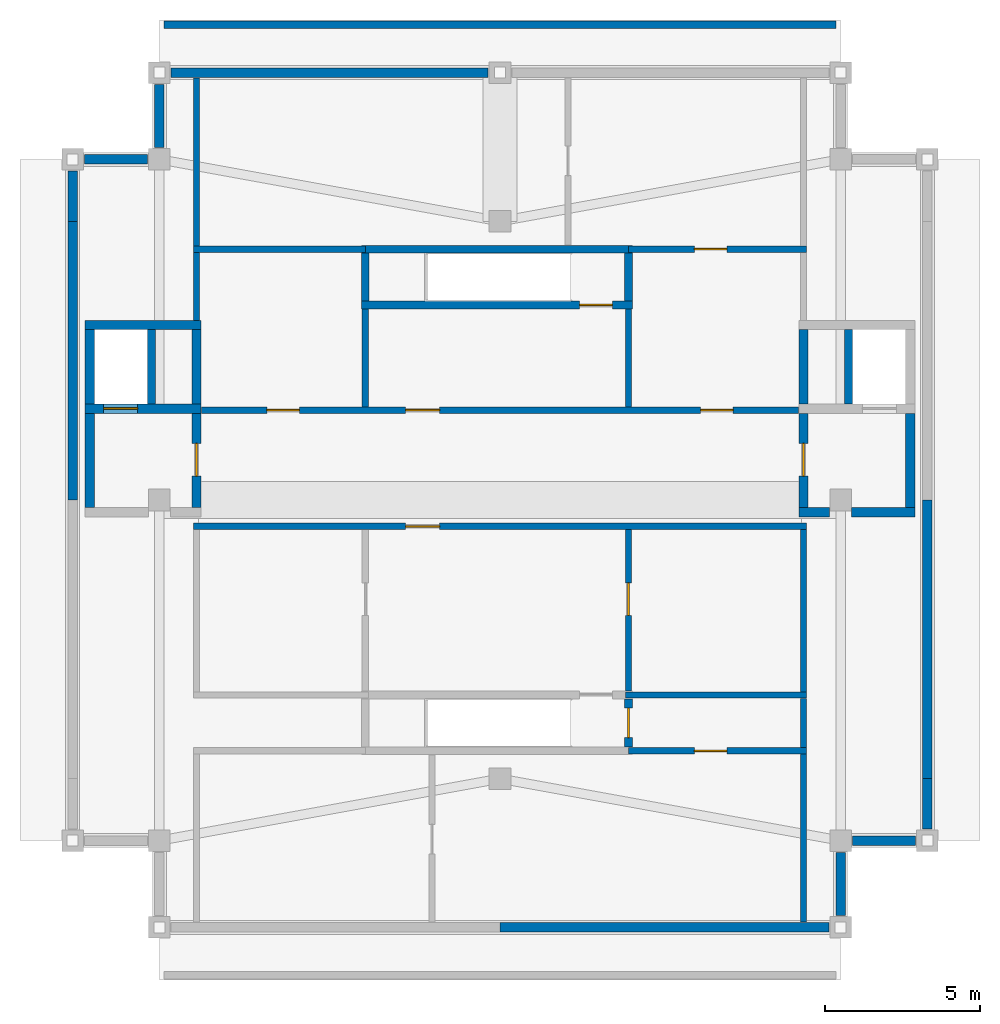
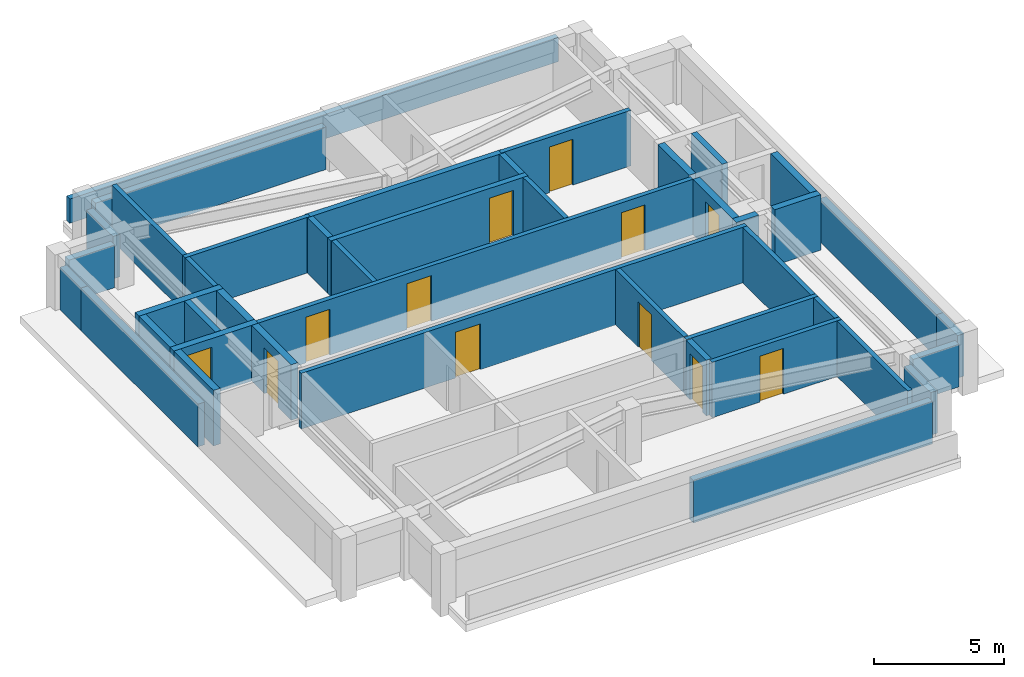
# One storey, part 2 of 4: 43 walls, 12 doors, 12 openings.
"""IFC4 building model written with IfcOpenShell, lengths in metres."""

from ifc_helpers import new_model, si_unit, direction, frame, frame_2d, origin, place, context, subcontext, project, spatial, rectangle, extrude, material, layer, layer_set, type_object, element, fill, save


model = new_model("IFC4")

# Units and contexts
model_context = context("Model", 3, precision=1e-05, world=origin(), true_north=direction((0.0, 1.0)))
body_context = subcontext(model_context, "Body", "Model", "MODEL_VIEW")
ifc_project = project(units=[si_unit("LENGTHUNIT", "METRE"), si_unit("AREAUNIT", "SQUARE_METRE"), si_unit("VOLUMEUNIT", "CUBIC_METRE"), si_unit("PLANEANGLEUNIT", "RADIAN"), si_unit("MASSUNIT", "GRAM", prefix="KILO")], contexts=[model_context])

# Site, building, storey
site_placement = place(None, origin())
site = spatial("IfcSite", under=ifc_project, at=site_placement, CompositionType="ELEMENT")
building_placement = place(site_placement, origin())
building = spatial("IfcBuilding", under=site, at=building_placement, Name="Zulmaris Gate Convention Tower", CompositionType="ELEMENT")
storey_placement = place(building_placement, frame((0.0, 0.0, 294.0400390625)))
storey = spatial("IfcBuildingStorey", under=building, at=storey_placement, Name="L79", CompositionType="ELEMENT", Elevation=294.0400390625)

# Wall, opening, door
ifc_material_1 = material(Name="Concrete C50/60", Category="concrete")
ifc_layer_1 = layer(ifc_material_1, 0.25, Name="Concrete C50/60")
ifc_layer_set_1 = layer_set([ifc_layer_1], Name="Concrete C50/60")
wall_type_1 = type_object("IfcWallType", Name="CORE-250", PredefinedType="SOLIDWALL", material=ifc_layer_set_1)
wall_1_placement = place(storey_placement, frame((-4.47509765625, 6.300048828125, 0.0), z_axis=(0.0, 0.0, 1.0), x_axis=(1.0, 0.0, 0.0)))
wall_1 = element("IfcWall", 1, at=wall_1_placement, inside=storey, type_object=wall_type_1, Name="WL-L79-009", PredefinedType="SOLIDWALL", context=body_context, shape_type="SweptSolid", body=[
    extrude(rectangle(XDim=8.75, YDim=0.25, at=frame_2d((4.375, 0.0))), origin(), (0.0, 0.0, 1.0), 2.610107421875),
])
opening_1_placement = place(wall_1_placement, frame((7.050048828125, 0.0, 0.0)))
opening_1 = element("IfcOpeningElement", 2, at=opening_1_placement, cuts=wall_1, Name="Opening D-09", PredefinedType="OPENING", context=body_context, shape_type="SweptSolid", body=[
    extrude(rectangle(XDim=1.050048828125, YDim=2.14990234375, at=frame_2d((0.52490234375, 1.074951171875))), frame((0.0, 0.135009765625, 0.0), z_axis=(0.0, -1.0, 0.0), x_axis=(1.0, 0.0, 0.0)), (0.0, 0.0, 1.0), 0.27001953125),
])
ifc_material_2 = material(Name="Fire-Rated Steel", Category="steel")
door_type_1 = type_object("IfcDoorType", Name="DR-1050-FD", OperationType="NOTDEFINED", PredefinedType="DOOR", material=ifc_material_2)
door_1_placement = place(opening_1_placement, origin())
door_1 = element("IfcDoor", 3, at=door_1_placement, inside=storey, type_object=door_type_1, Name="L79 Crown Stair ST-8 Door 06", OperationType="SINGLE_SWING_RIGHT", OverallHeight=2.14990234375, OverallWidth=1.050048828125, PredefinedType="DOOR", context=body_context, shape_type="SweptSolid", body=[
    extrude(rectangle(XDim=1.050048828125, YDim=2.14990234375, at=frame_2d((0.52490234375, 1.074951171875))), frame((0.0, 0.02490234375, 0.0), z_axis=(0.0, -1.0, 0.0), x_axis=(1.0, 0.0, 0.0)), (0.0, 0.0, 1.0), 0.050048828125),
])
fill(opening_1, door_1)

# Walls
wall_2_placement = place(storey_placement, frame((-4.47509765625, 8.10009765625, 0.0), z_axis=(0.0, 0.0, 1.0), x_axis=(1.0, 0.0, 0.0)))
element("IfcWall", 4, at=wall_2_placement, inside=storey, type_object=wall_type_1, Name="WL-L79-010", PredefinedType="SOLIDWALL", context=body_context, shape_type="SweptSolid", body=[
    extrude(rectangle(XDim=8.75, YDim=0.25, at=frame_2d((4.375, 0.0))), origin(), (0.0, 0.0, 1.0), 2.610107421875),
])
wall_3_placement = place(storey_placement, frame((-11.25, 3.10205078125, 0.0), z_axis=(0.0, 0.0, 1.0), x_axis=(0.0, 1.0, 0.0)))
element("IfcWall", 5, at=wall_3_placement, inside=storey, type_object=wall_type_1, Name="WL-L79-021", PredefinedType="SOLIDWALL", context=body_context, shape_type="SweptSolid", body=[
    extrude(rectangle(XDim=2.39599609375, YDim=0.25, at=frame_2d((1.197998046875, 0.0))), origin(), (0.0, 0.0, 1.0), 2.610107421875),
])
wall_4_placement = place(storey_placement, frame((-4.35009765625, 6.427001953125, 0.0), z_axis=(0.0, 0.0, 1.0), x_axis=(0.0, 1.0, 0.0)))
element("IfcWall", 6, at=wall_4_placement, inside=storey, type_object=wall_type_1, Name="WL-L79-025", PredefinedType="SOLIDWALL", context=body_context, shape_type="SweptSolid", body=[
    extrude(rectangle(XDim=1.5458984375, YDim=0.25, at=frame_2d((0.77294921875, 0.0))), origin(), (0.0, 0.0, 1.0), 2.610107421875),
])

# Wall, opening, door
wall_5_placement = place(storey_placement, frame((4.14990234375, -7.972900390625, 0.0), z_axis=(0.0, 0.0, 1.0), x_axis=(0.0, 1.0, 0.0)))
wall_5 = element("IfcWall", 7, at=wall_5_placement, inside=storey, type_object=wall_type_1, Name="WL-L79-026", PredefinedType="SOLIDWALL", context=body_context, shape_type="SweptSolid", body=[
    extrude(rectangle(XDim=1.5458984375, YDim=0.25, at=frame_2d((0.77294921875, 0.0))), origin(), (0.0, 0.0, 1.0), 2.610107421875),
])
opening_2_placement = place(wall_5_placement, frame((0.298095703125, 0.0, 0.0)))
opening_2 = element("IfcOpeningElement", 8, at=opening_2_placement, cuts=wall_5, Name="Opening D-11", PredefinedType="OPENING", context=body_context, shape_type="SweptSolid", body=[
    extrude(rectangle(XDim=0.949951171875, YDim=2.14990234375, at=frame_2d((0.47509765625, 1.074951171875))), frame((0.0, 0.135009765625, 0.0), z_axis=(0.0, -1.0, 0.0), x_axis=(1.0, 0.0, 0.0)), (0.0, 0.0, 1.0), 0.27001953125),
])
ifc_material_3 = material(Name="Fire-Rated Timber", Category="wood")
door_type_2 = type_object("IfcDoorType", Name="DR-950-FD", OperationType="NOTDEFINED", PredefinedType="DOOR", material=ifc_material_3)
door_2_placement = place(opening_2_placement, origin())
door_2 = element("IfcDoor", 9, at=door_2_placement, inside=storey, type_object=door_type_2, Name="L79 South Vestibule Door 16", OperationType="SINGLE_SWING_RIGHT", OverallHeight=2.14990234375, OverallWidth=0.949951171875, PredefinedType="DOOR", context=body_context, shape_type="SweptSolid", body=[
    extrude(rectangle(XDim=0.949951171875, YDim=2.14990234375, at=frame_2d((0.47509765625, 1.074951171875))), frame((0.0, 0.02490234375, 0.0), z_axis=(0.0, -1.0, 0.0), x_axis=(1.0, 0.0, 0.0)), (0.0, 0.0, 1.0), 0.050048828125),
])
fill(opening_2, door_2)

# Walls
wall_6_placement = place(storey_placement, frame((4.14990234375, 6.427001953125, 0.0), z_axis=(0.0, 0.0, 1.0), x_axis=(0.0, 1.0, 0.0)))
element("IfcWall", 10, at=wall_6_placement, inside=storey, type_object=wall_type_1, Name="WL-L79-027", PredefinedType="SOLIDWALL", context=body_context, shape_type="SweptSolid", body=[
    extrude(rectangle(XDim=1.5458984375, YDim=0.25, at=frame_2d((0.77294921875, 0.0))), origin(), (0.0, 0.0, 1.0), 2.610107421875),
])
wall_7_placement = place(storey_placement, frame((11.25, 3.10205078125, 0.0), z_axis=(0.0, 0.0, 1.0), x_axis=(0.0, 1.0, 0.0)))
element("IfcWall", 11, at=wall_7_placement, inside=storey, type_object=wall_type_1, Name="WL-L79-030", PredefinedType="SOLIDWALL", context=body_context, shape_type="SweptSolid", body=[
    extrude(rectangle(XDim=2.39599609375, YDim=0.25, at=frame_2d((1.197998046875, 0.0))), origin(), (0.0, 0.0, 1.0), 2.610107421875),
])
ifc_layer_2 = layer(ifc_material_1, 0.300048828125, Name="Concrete C50/60")
ifc_layer_set_2 = layer_set([ifc_layer_2], Name="Concrete C50/60")
wall_type_2 = type_object("IfcWallType", Name="CORE-300", PredefinedType="SHEAR", material=ifc_layer_set_2)
wall_8_placement = place(storey_placement, frame((9.64990234375, -0.39990234375, 0.0), z_axis=(0.0, 0.0, 1.0), x_axis=(1.0, 0.0, 0.0)))
element("IfcWall", 12, at=wall_8_placement, inside=storey, type_object=wall_type_2, Name="WL-L79-004", PredefinedType="SHEAR", context=body_context, shape_type="SweptSolid", body=[
    extrude(rectangle(XDim=0.99609375, YDim=0.300048828125, at=frame_2d((0.498046875, 0.0))), origin(), (0.0, 0.0, 1.0), 2.610107421875),
])
wall_9_placement = place(storey_placement, frame((11.35400390625, -0.39990234375, 0.0), z_axis=(0.0, 0.0, 1.0), x_axis=(1.0, 0.0, 0.0)))
element("IfcWall", 13, at=wall_9_placement, inside=storey, type_object=wall_type_2, Name="WL-L79-004S1", PredefinedType="SHEAR", context=body_context, shape_type="SweptSolid", body=[
    extrude(rectangle(XDim=2.0458984375, YDim=0.300048828125, at=frame_2d((1.02294921875, 0.0))), origin(), (0.0, 0.0, 1.0), 2.610107421875),
])

# Wall, opening, door
wall_10_placement = place(storey_placement, frame((-13.39990234375, 2.949951171875, 0.0), z_axis=(0.0, 0.0, 1.0), x_axis=(1.0, 0.0, 0.0)))
wall_10 = element("IfcWall", 14, at=wall_10_placement, inside=storey, type_object=wall_type_2, Name="WL-L79-005", PredefinedType="SHEAR", context=body_context, shape_type="SweptSolid", body=[
    extrude(rectangle(XDim=3.75, YDim=0.300048828125, at=frame_2d((1.875, 0.0))), origin(), (0.0, 0.0, 1.0), 2.610107421875),
])
opening_3_placement = place(wall_10_placement, frame((0.60009765625, 0.0, 0.0)))
opening_3 = element("IfcOpeningElement", 15, at=opening_3_placement, cuts=wall_10, Name="Opening D-06", PredefinedType="OPENING", context=body_context, shape_type="SweptSolid", body=[
    extrude(rectangle(XDim=1.10009765625, YDim=2.199951171875, at=frame_2d((0.550048828125, 1.10009765625))), frame((0.0, 0.16015625, 0.0), z_axis=(0.0, -1.0, 0.0), x_axis=(1.0, 0.0, 0.0)), (0.0, 0.0, 1.0), 0.320068359375),
])
ifc_material_4 = material(Name="Brushed Stainless Steel", Category="steel")
door_type_3 = type_object("IfcDoorType", Name="LD-1100", OperationType="NOTDEFINED", PredefinedType="DOOR", material=ifc_material_4)
door_3_placement = place(opening_3_placement, origin())
door_3 = element("IfcDoor", 16, at=door_3_placement, inside=storey, type_object=door_type_3, Name="L79 Lift Landing Door LF-01 01", OperationType="SLIDING_TO_LEFT", OverallHeight=2.199951171875, OverallWidth=1.10009765625, PredefinedType="DOOR", context=body_context, shape_type="SweptSolid", body=[
    extrude(rectangle(XDim=1.10009765625, YDim=2.199951171875, at=frame_2d((0.550048828125, 1.10009765625))), frame((0.0, 0.02490234375, 0.0), z_axis=(0.0, -1.0, 0.0), x_axis=(1.0, 0.0, 0.0)), (0.0, 0.0, 1.0), 0.050048828125),
])
fill(opening_3, door_3)

# Walls
wall_11_placement = place(storey_placement, frame((-13.39990234375, 5.64990234375, 0.0), z_axis=(0.0, 0.0, 1.0), x_axis=(1.0, 0.0, 0.0)))
element("IfcWall", 17, at=wall_11_placement, inside=storey, type_object=wall_type_2, Name="WL-L79-007", PredefinedType="SHEAR", context=body_context, shape_type="SweptSolid", body=[
    extrude(rectangle(XDim=3.75, YDim=0.300048828125, at=frame_2d((1.875, 0.0))), origin(), (0.0, 0.0, 1.0), 2.610107421875),
])
wall_12_placement = place(storey_placement, frame((-13.25, -0.248046875, 0.0), z_axis=(0.0, 0.0, 1.0), x_axis=(0.0, 1.0, 0.0)))
element("IfcWall", 18, at=wall_12_placement, inside=storey, type_object=wall_type_2, Name="WL-L79-019", PredefinedType="SHEAR", context=body_context, shape_type="SweptSolid", body=[
    extrude(rectangle(XDim=3.046142578125, YDim=0.300048828125, at=frame_2d((1.52294921875, 0.0))), origin(), (0.0, 0.0, 1.0), 2.610107421875),
])
wall_13_placement = place(storey_placement, frame((-13.25, 3.10205078125, 0.0), z_axis=(0.0, 0.0, 1.0), x_axis=(0.0, 1.0, 0.0)))
element("IfcWall", 19, at=wall_13_placement, inside=storey, type_object=wall_type_2, Name="WL-L79-020", PredefinedType="SHEAR", context=body_context, shape_type="SweptSolid", body=[
    extrude(rectangle(XDim=2.39599609375, YDim=0.300048828125, at=frame_2d((1.197998046875, 0.0))), origin(), (0.0, 0.0, 1.0), 2.610107421875),
])

# Wall, opening, door
wall_14_placement = place(storey_placement, frame((-9.800048828125, -0.248046875, 0.0), z_axis=(0.0, 0.0, 1.0), x_axis=(0.0, 1.0, 0.0)))
wall_14 = element("IfcWall", 20, at=wall_14_placement, inside=storey, type_object=wall_type_2, Name="WL-L79-022", PredefinedType="SHEAR", context=body_context, shape_type="SweptSolid", body=[
    extrude(rectangle(XDim=3.046142578125, YDim=0.300048828125, at=frame_2d((1.52294921875, 0.0))), origin(), (0.0, 0.0, 1.0), 2.610107421875),
])
opening_4_placement = place(wall_14_placement, frame((1.02294921875, 0.0, 0.0)))
opening_4 = element("IfcOpeningElement", 21, at=opening_4_placement, cuts=wall_14, Name="Opening D-09", PredefinedType="OPENING", context=body_context, shape_type="SweptSolid", body=[
    extrude(rectangle(XDim=1.050048828125, YDim=2.14990234375, at=frame_2d((0.52490234375, 1.074951171875))), frame((0.0, 0.16015625, 0.0), z_axis=(0.0, -1.0, 0.0), x_axis=(1.0, 0.0, 0.0)), (0.0, 0.0, 1.0), 0.320068359375),
])
door_4_placement = place(opening_4_placement, origin())
door_4 = element("IfcDoor", 22, at=door_4_placement, inside=storey, type_object=door_type_1, Name="L79 Firefighting Lobby West Door 02", OperationType="SINGLE_SWING_LEFT", OverallHeight=2.14990234375, OverallWidth=1.050048828125, PredefinedType="DOOR", context=body_context, shape_type="SweptSolid", body=[
    extrude(rectangle(XDim=1.050048828125, YDim=2.14990234375, at=frame_2d((0.52490234375, 1.074951171875))), frame((0.0, 0.02490234375, 0.0), z_axis=(0.0, -1.0, 0.0), x_axis=(1.0, 0.0, 0.0)), (0.0, 0.0, 1.0), 0.050048828125),
])
fill(opening_4, door_4)

# Wall
wall_15_placement = place(storey_placement, frame((-9.800048828125, 3.10205078125, 0.0), z_axis=(0.0, 0.0, 1.0), x_axis=(0.0, 1.0, 0.0)))
element("IfcWall", 23, at=wall_15_placement, inside=storey, type_object=wall_type_2, Name="WL-L79-023", PredefinedType="SHEAR", context=body_context, shape_type="SweptSolid", body=[
    extrude(rectangle(XDim=2.39599609375, YDim=0.300048828125, at=frame_2d((1.197998046875, 0.0))), origin(), (0.0, 0.0, 1.0), 2.610107421875),
])

# Wall, opening, door
wall_16_placement = place(storey_placement, frame((9.800048828125, -0.248046875, 0.0), z_axis=(0.0, 0.0, 1.0), x_axis=(0.0, 1.0, 0.0)))
wall_16 = element("IfcWall", 24, at=wall_16_placement, inside=storey, type_object=wall_type_2, Name="WL-L79-028", PredefinedType="SHEAR", context=body_context, shape_type="SweptSolid", body=[
    extrude(rectangle(XDim=3.046142578125, YDim=0.300048828125, at=frame_2d((1.52294921875, 0.0))), origin(), (0.0, 0.0, 1.0), 2.610107421875),
])
opening_5_placement = place(wall_16_placement, frame((1.02294921875, 0.0, 0.0)))
opening_5 = element("IfcOpeningElement", 25, at=opening_5_placement, cuts=wall_16, Name="Opening D-09", PredefinedType="OPENING", context=body_context, shape_type="SweptSolid", body=[
    extrude(rectangle(XDim=1.050048828125, YDim=2.14990234375, at=frame_2d((0.52490234375, 1.074951171875))), frame((0.0, 0.16015625, 0.0), z_axis=(0.0, -1.0, 0.0), x_axis=(1.0, 0.0, 0.0)), (0.0, 0.0, 1.0), 0.320068359375),
])
door_5_placement = place(opening_5_placement, origin())
door_5 = element("IfcDoor", 26, at=door_5_placement, inside=storey, type_object=door_type_1, Name="L79 Firefighting Lobby East Door 04", OperationType="SINGLE_SWING_RIGHT", OverallHeight=2.14990234375, OverallWidth=1.050048828125, PredefinedType="DOOR", context=body_context, shape_type="SweptSolid", body=[
    extrude(rectangle(XDim=1.050048828125, YDim=2.14990234375, at=frame_2d((0.52490234375, 1.074951171875))), frame((0.0, 0.02490234375, 0.0), z_axis=(0.0, -1.0, 0.0), x_axis=(1.0, 0.0, 0.0)), (0.0, 0.0, 1.0), 0.050048828125),
])
fill(opening_5, door_5)

# Walls
wall_17_placement = place(storey_placement, frame((9.800048828125, 3.10205078125, 0.0), z_axis=(0.0, 0.0, 1.0), x_axis=(0.0, 1.0, 0.0)))
element("IfcWall", 27, at=wall_17_placement, inside=storey, type_object=wall_type_2, Name="WL-L79-029", PredefinedType="SHEAR", context=body_context, shape_type="SweptSolid", body=[
    extrude(rectangle(XDim=2.39599609375, YDim=0.300048828125, at=frame_2d((1.197998046875, 0.0))), origin(), (0.0, 0.0, 1.0), 2.610107421875),
])
wall_18_placement = place(storey_placement, frame((13.25, -0.248046875, 0.0), z_axis=(0.0, 0.0, 1.0), x_axis=(0.0, 1.0, 0.0)))
element("IfcWall", 28, at=wall_18_placement, inside=storey, type_object=wall_type_2, Name="WL-L79-031", PredefinedType="SHEAR", context=body_context, shape_type="SweptSolid", body=[
    extrude(rectangle(XDim=3.046142578125, YDim=0.300048828125, at=frame_2d((1.52294921875, 0.0))), origin(), (0.0, 0.0, 1.0), 2.610107421875),
])

# Wall, opening, door
ifc_material_5 = material(Name="Autoclaved Aerated Concrete Block and Plasterboard", Category="concrete")
ifc_layer_3 = layer(ifc_material_5, 0.199951171875, Name="Autoclaved Aerated Concrete Block and Plasterboard")
ifc_layer_set_3 = layer_set([ifc_layer_3], Name="Autoclaved Aerated Concrete Block and Plasterboard")
wall_type_3 = type_object("IfcWallType", Name="PART-200", PredefinedType="PARTITIONING", material=ifc_layer_set_3)
wall_19_placement = place(storey_placement, frame((4.14990234375, -8.10009765625, 0.0), z_axis=(0.0, 0.0, 1.0), x_axis=(1.0, 0.0, 0.0)))
wall_19 = element("IfcWall", 29, at=wall_19_placement, inside=storey, type_object=wall_type_3, Name="WL-L79-012", PredefinedType="PARTITIONING", context=body_context, shape_type="SweptSolid", body=[
    extrude(rectangle(XDim=5.75, YDim=0.199951171875, at=frame_2d((2.875, 0.0))), origin(), (0.0, 0.0, 1.0), 2.610107421875),
])
opening_6_placement = place(wall_19_placement, frame((2.125, 0.0, 0.0)))
opening_6 = element("IfcOpeningElement", 30, at=opening_6_placement, cuts=wall_19, Name="Opening D-09", PredefinedType="OPENING", context=body_context, shape_type="SweptSolid", body=[
    extrude(rectangle(XDim=1.050048828125, YDim=2.14990234375, at=frame_2d((0.52490234375, 1.074951171875))), frame((0.0, 0.10986328125, 0.0), z_axis=(0.0, -1.0, 0.0), x_axis=(1.0, 0.0, 0.0)), (0.0, 0.0, 1.0), 0.219970703125),
])
door_6_placement = place(opening_6_placement, origin())
door_6 = element("IfcDoor", 31, at=door_6_placement, inside=storey, type_object=door_type_1, Name="L79 Cooling Plant Door 17", OperationType="SINGLE_SWING_LEFT", OverallHeight=2.14990234375, OverallWidth=1.050048828125, PredefinedType="DOOR", context=body_context, shape_type="SweptSolid", body=[
    extrude(rectangle(XDim=1.050048828125, YDim=2.14990234375, at=frame_2d((0.52490234375, 1.074951171875))), frame((0.0, 0.02490234375, 0.0), z_axis=(0.0, -1.0, 0.0), x_axis=(1.0, 0.0, 0.0)), (0.0, 0.0, 1.0), 0.050048828125),
])
fill(opening_6, door_6)

# Wall
wall_20_placement = place(storey_placement, frame((4.050048828125, -6.300048828125, 0.0), z_axis=(0.0, 0.0, 1.0), x_axis=(1.0, 0.0, 0.0)))
element("IfcWall", 32, at=wall_20_placement, inside=storey, type_object=wall_type_3, Name="WL-L79-014", PredefinedType="PARTITIONING", context=body_context, shape_type="SweptSolid", body=[
    extrude(rectangle(XDim=5.849853515625, YDim=0.199951171875, at=frame_2d((2.9248046875, 0.0))), origin(), (0.0, 0.0, 1.0), 2.610107421875),
])

# Wall, opening, door
wall_21_placement = place(storey_placement, frame((-9.89990234375, -0.85009765625, 0.0), z_axis=(0.0, 0.0, 1.0), x_axis=(1.0, 0.0, 0.0)))
wall_21 = element("IfcWall", 33, at=wall_21_placement, inside=storey, type_object=wall_type_3, Name="WL-L79-015", PredefinedType="PARTITIONING", context=body_context, shape_type="SweptSolid", body=[
    extrude(rectangle(XDim=19.7998046875, YDim=0.199951171875, at=frame_2d((9.89990234375, 0.0))), origin(), (0.0, 0.0, 1.0), 2.610107421875),
])
opening_7_placement = place(wall_21_placement, frame((6.85009765625, 0.0, 0.0)))
opening_7 = element("IfcOpeningElement", 34, at=opening_7_placement, cuts=wall_21, Name="Opening D-08", PredefinedType="OPENING", context=body_context, shape_type="SweptSolid", body=[
    extrude(rectangle(XDim=1.10009765625, YDim=2.14990234375, at=frame_2d((0.550048828125, 1.074951171875))), frame((0.0, 0.10986328125, 0.0), z_axis=(0.0, -1.0, 0.0), x_axis=(1.0, 0.0, 0.0)), (0.0, 0.0, 1.0), 0.219970703125),
])
door_type_4 = type_object("IfcDoorType", Name="DR-1100-FD", OperationType="NOTDEFINED", PredefinedType="DOOR", material=ifc_material_2)
door_7_placement = place(opening_7_placement, origin())
door_7 = element("IfcDoor", 35, at=door_7_placement, inside=storey, type_object=door_type_4, Name="L79 South Crown Passage Door 07", OperationType="SINGLE_SWING_LEFT", OverallHeight=2.14990234375, OverallWidth=1.10009765625, PredefinedType="DOOR", context=body_context, shape_type="SweptSolid", body=[
    extrude(rectangle(XDim=1.10009765625, YDim=2.14990234375, at=frame_2d((0.550048828125, 1.074951171875))), frame((0.0, 0.02490234375, 0.0), z_axis=(0.0, -1.0, 0.0), x_axis=(1.0, 0.0, 0.0)), (0.0, 0.0, 1.0), 0.050048828125),
])
fill(opening_7, door_7)

# Wall, openings, doors
wall_22_placement = place(storey_placement, frame((-9.64697265625, 2.89990234375, 0.0), z_axis=(0.0, 0.0, 1.0), x_axis=(1.0, 0.0, 0.0)))
wall_22 = element("IfcWall", 36, at=wall_22_placement, inside=storey, type_object=wall_type_3, Name="WL-L79-016", PredefinedType="PARTITIONING", context=body_context, shape_type="SweptSolid", body=[
    extrude(rectangle(XDim=19.2939453125, YDim=0.199951171875, at=frame_2d((9.64697265625, 0.0))), origin(), (0.0, 0.0, 1.0), 2.610107421875),
])
opening_8_placement = place(wall_22_placement, frame((6.596923828125, 0.0, 0.0)))
opening_8 = element("IfcOpeningElement", 37, at=opening_8_placement, cuts=wall_22, Name="Opening D-08", PredefinedType="OPENING", context=body_context, shape_type="SweptSolid", body=[
    extrude(rectangle(XDim=1.10009765625, YDim=2.14990234375, at=frame_2d((0.550048828125, 1.074951171875))), frame((0.0, 0.10986328125, 0.0), z_axis=(0.0, -1.0, 0.0), x_axis=(1.0, 0.0, 0.0)), (0.0, 0.0, 1.0), 0.219970703125),
])
opening_9_placement = place(wall_22_placement, frame((16.1220703125, 0.0, 0.0)))
opening_9 = element("IfcOpeningElement", 38, at=opening_9_placement, cuts=wall_22, Name="Opening D-09", PredefinedType="OPENING", context=body_context, shape_type="SweptSolid", body=[
    extrude(rectangle(XDim=1.050048828125, YDim=2.14990234375, at=frame_2d((0.52490234375, 1.074951171875))), frame((0.0, 0.10986328125, 0.0), z_axis=(0.0, -1.0, 0.0), x_axis=(1.0, 0.0, 0.0)), (0.0, 0.0, 1.0), 0.219970703125),
])
opening_10_placement = place(wall_22_placement, frame((2.1220703125, 0.0, 0.0)))
opening_10 = element("IfcOpeningElement", 39, at=opening_10_placement, cuts=wall_22, Name="Opening D-09", PredefinedType="OPENING", context=body_context, shape_type="SweptSolid", body=[
    extrude(rectangle(XDim=1.050048828125, YDim=2.14990234375, at=frame_2d((0.52490234375, 1.074951171875))), frame((0.0, 0.10986328125, 0.0), z_axis=(0.0, -1.0, 0.0), x_axis=(1.0, 0.0, 0.0)), (0.0, 0.0, 1.0), 0.219970703125),
])
door_8_placement = place(opening_9_placement, origin())
door_8 = element("IfcDoor", 40, at=door_8_placement, inside=storey, type_object=door_type_1, Name="L79 East Crown Plant Door 11", OperationType="SINGLE_SWING_LEFT", OverallHeight=2.14990234375, OverallWidth=1.050048828125, PredefinedType="DOOR", context=body_context, shape_type="SweptSolid", body=[
    extrude(rectangle(XDim=1.050048828125, YDim=2.14990234375, at=frame_2d((0.52490234375, 1.074951171875))), frame((0.0, 0.02490234375, 0.0), z_axis=(0.0, -1.0, 0.0), x_axis=(1.0, 0.0, 0.0)), (0.0, 0.0, 1.0), 0.050048828125),
])
fill(opening_9, door_8)
door_9_placement = place(opening_10_placement, origin())
door_9 = element("IfcDoor", 41, at=door_9_placement, inside=storey, type_object=door_type_1, Name="L79 BMS Telemetry Door 15", OperationType="SINGLE_SWING_LEFT", OverallHeight=2.14990234375, OverallWidth=1.050048828125, PredefinedType="DOOR", context=body_context, shape_type="SweptSolid", body=[
    extrude(rectangle(XDim=1.050048828125, YDim=2.14990234375, at=frame_2d((0.52490234375, 1.074951171875))), frame((0.0, 0.02490234375, 0.0), z_axis=(0.0, -1.0, 0.0), x_axis=(1.0, 0.0, 0.0)), (0.0, 0.0, 1.0), 0.050048828125),
])
fill(opening_10, door_9)
door_10_placement = place(opening_8_placement, origin())
door_10 = element("IfcDoor", 42, at=door_10_placement, inside=storey, type_object=door_type_4, Name="L79 North Crown Passage Door 08", OperationType="SINGLE_SWING_RIGHT", OverallHeight=2.14990234375, OverallWidth=1.10009765625, PredefinedType="DOOR", context=body_context, shape_type="SweptSolid", body=[
    extrude(rectangle(XDim=1.10009765625, YDim=2.14990234375, at=frame_2d((0.550048828125, 1.074951171875))), frame((0.0, 0.02490234375, 0.0), z_axis=(0.0, -1.0, 0.0), x_axis=(1.0, 0.0, 0.0)), (0.0, 0.0, 1.0), 0.050048828125),
])
fill(opening_8, door_10)

# Wall
wall_23_placement = place(storey_placement, frame((-9.89990234375, 8.10009765625, 0.0), z_axis=(0.0, 0.0, 1.0), x_axis=(1.0, 0.0, 0.0)))
element("IfcWall", 43, at=wall_23_placement, inside=storey, type_object=wall_type_3, Name="WL-L79-017", PredefinedType="PARTITIONING", context=body_context, shape_type="SweptSolid", body=[
    extrude(rectangle(XDim=5.5498046875, YDim=0.199951171875, at=frame_2d((2.77490234375, 0.0))), origin(), (0.0, 0.0, 1.0), 2.610107421875),
])

# Wall, opening, door
wall_24_placement = place(storey_placement, frame((4.14990234375, 8.10009765625, 0.0), z_axis=(0.0, 0.0, 1.0), x_axis=(1.0, 0.0, 0.0)))
wall_24 = element("IfcWall", 44, at=wall_24_placement, inside=storey, type_object=wall_type_3, Name="WL-L79-018", PredefinedType="PARTITIONING", context=body_context, shape_type="SweptSolid", body=[
    extrude(rectangle(XDim=5.75, YDim=0.199951171875, at=frame_2d((2.875, 0.0))), origin(), (0.0, 0.0, 1.0), 2.610107421875),
])
opening_11_placement = place(wall_24_placement, frame((2.125, 0.0, 0.0)))
opening_11 = element("IfcOpeningElement", 45, at=opening_11_placement, cuts=wall_24, Name="Opening D-09", PredefinedType="OPENING", context=body_context, shape_type="SweptSolid", body=[
    extrude(rectangle(XDim=1.050048828125, YDim=2.14990234375, at=frame_2d((0.52490234375, 1.074951171875))), frame((0.0, 0.10986328125, 0.0), z_axis=(0.0, -1.0, 0.0), x_axis=(1.0, 0.0, 0.0)), (0.0, 0.0, 1.0), 0.219970703125),
])
door_11_placement = place(opening_11_placement, origin())
door_11 = element("IfcDoor", 46, at=door_11_placement, inside=storey, type_object=door_type_1, Name="L79 East Water Tank Door 12", OperationType="SINGLE_SWING_RIGHT", OverallHeight=2.14990234375, OverallWidth=1.050048828125, PredefinedType="DOOR", context=body_context, shape_type="SweptSolid", body=[
    extrude(rectangle(XDim=1.050048828125, YDim=2.14990234375, at=frame_2d((0.52490234375, 1.074951171875))), frame((0.0, 0.02490234375, 0.0), z_axis=(0.0, -1.0, 0.0), x_axis=(1.0, 0.0, 0.0)), (0.0, 0.0, 1.0), 0.050048828125),
])
fill(opening_11, door_11)

# Walls
wall_25_placement = place(storey_placement, frame((-9.800048828125, 5.802978515625, 0.0), z_axis=(0.0, 0.0, 1.0), x_axis=(0.0, 1.0, 0.0)))
element("IfcWall", 47, at=wall_25_placement, inside=storey, type_object=wall_type_3, Name="WL-L79-035", PredefinedType="PARTITIONING", context=body_context, shape_type="SweptSolid", body=[
    extrude(rectangle(XDim=2.194091796875, YDim=0.199951171875, at=frame_2d((1.09716796875, 0.0))), origin(), (0.0, 0.0, 1.0), 2.610107421875),
])
wall_26_placement = place(storey_placement, frame((-9.800048828125, 8.202880859375, 0.0), z_axis=(0.0, 0.0, 1.0), x_axis=(0.0, 1.0, 0.0)))
element("IfcWall", 48, at=wall_26_placement, inside=storey, type_object=wall_type_3, Name="WL-L79-036", PredefinedType="PARTITIONING", context=body_context, shape_type="SweptSolid", body=[
    extrude(rectangle(XDim=5.43212890625, YDim=0.199951171875, at=frame_2d((2.716064453125, 0.0))), origin(), (0.0, 0.0, 1.0), 2.610107421875),
])
wall_27_placement = place(storey_placement, frame((-4.35009765625, 3.0029296875, 0.0), z_axis=(0.0, 0.0, 1.0), x_axis=(0.0, 1.0, 0.0)))
element("IfcWall", 49, at=wall_27_placement, inside=storey, type_object=wall_type_3, Name="WL-L79-038", PredefinedType="PARTITIONING", context=body_context, shape_type="SweptSolid", body=[
    extrude(rectangle(XDim=3.169189453125, YDim=0.199951171875, at=frame_2d((1.58447265625, 0.0))), origin(), (0.0, 0.0, 1.0), 2.610107421875),
])

# Wall, opening, door
wall_28_placement = place(storey_placement, frame((4.14990234375, -6.172119140625, 0.0), z_axis=(0.0, 0.0, 1.0), x_axis=(0.0, 1.0, 0.0)))
wall_28 = element("IfcWall", 50, at=wall_28_placement, inside=storey, type_object=wall_type_3, Name="WL-L79-041", PredefinedType="PARTITIONING", context=body_context, shape_type="SweptSolid", body=[
    extrude(rectangle(XDim=5.21923828125, YDim=0.199951171875, at=frame_2d((2.609619140625, 0.0))), origin(), (0.0, 0.0, 1.0), 2.610107421875),
])
opening_12_placement = place(wall_28_placement, frame((2.447021484375, 0.0, 0.0)))
opening_12 = element("IfcOpeningElement", 51, at=opening_12_placement, cuts=wall_28, Name="Opening D-09", PredefinedType="OPENING", context=body_context, shape_type="SweptSolid", body=[
    extrude(rectangle(XDim=1.050048828125, YDim=2.14990234375, at=frame_2d((0.52490234375, 1.074951171875))), frame((0.0, 0.10986328125, 0.0), z_axis=(0.0, -1.0, 0.0), x_axis=(1.0, 0.0, 0.0)), (0.0, 0.0, 1.0), 0.219970703125),
])
door_12_placement = place(opening_12_placement, origin())
door_12 = element("IfcDoor", 52, at=door_12_placement, inside=storey, type_object=door_type_1, Name="L79 Crown AHU Door 10", OperationType="SINGLE_SWING_RIGHT", OverallHeight=2.14990234375, OverallWidth=1.050048828125, PredefinedType="DOOR", context=body_context, shape_type="SweptSolid", body=[
    extrude(rectangle(XDim=1.050048828125, YDim=2.14990234375, at=frame_2d((0.52490234375, 1.074951171875))), frame((0.0, 0.02490234375, 0.0), z_axis=(0.0, -1.0, 0.0), x_axis=(1.0, 0.0, 0.0)), (0.0, 0.0, 1.0), 0.050048828125),
])
fill(opening_12, door_12)

# Walls
wall_29_placement = place(storey_placement, frame((4.14990234375, 3.0029296875, 0.0), z_axis=(0.0, 0.0, 1.0), x_axis=(0.0, 1.0, 0.0)))
element("IfcWall", 53, at=wall_29_placement, inside=storey, type_object=wall_type_3, Name="WL-L79-042", PredefinedType="PARTITIONING", context=body_context, shape_type="SweptSolid", body=[
    extrude(rectangle(XDim=3.169189453125, YDim=0.199951171875, at=frame_2d((1.58447265625, 0.0))), origin(), (0.0, 0.0, 1.0), 2.610107421875),
])
wall_30_placement = place(storey_placement, frame((9.800048828125, -13.635009765625, 0.0), z_axis=(0.0, 0.0, 1.0), x_axis=(0.0, 1.0, 0.0)))
element("IfcWall", 54, at=wall_30_placement, inside=storey, type_object=wall_type_3, Name="WL-L79-043", PredefinedType="PARTITIONING", context=body_context, shape_type="SweptSolid", body=[
    extrude(rectangle(XDim=5.43212890625, YDim=0.199951171875, at=frame_2d((2.716064453125, 0.0))), origin(), (0.0, 0.0, 1.0), 2.610107421875),
])
wall_31_placement = place(storey_placement, frame((9.800048828125, -7.9970703125, 0.0), z_axis=(0.0, 0.0, 1.0), x_axis=(0.0, 1.0, 0.0)))
element("IfcWall", 55, at=wall_31_placement, inside=storey, type_object=wall_type_3, Name="WL-L79-044", PredefinedType="PARTITIONING", context=body_context, shape_type="SweptSolid", body=[
    extrude(rectangle(XDim=1.593994140625, YDim=0.199951171875, at=frame_2d((0.796875, 0.0))), origin(), (0.0, 0.0, 1.0), 2.610107421875),
])
wall_32_placement = place(storey_placement, frame((9.800048828125, -6.197021484375, 0.0), z_axis=(0.0, 0.0, 1.0), x_axis=(0.0, 1.0, 0.0)))
element("IfcWall", 56, at=wall_32_placement, inside=storey, type_object=wall_type_3, Name="WL-L79-045", PredefinedType="PARTITIONING", context=body_context, shape_type="SweptSolid", body=[
    extrude(rectangle(XDim=5.244140625, YDim=0.199951171875, at=frame_2d((2.6220703125, 0.0))), origin(), (0.0, 0.0, 1.0), 2.610107421875),
])
ifc_material_6 = material(Name="Precast concrete C40/50", Category="concrete")
ifc_layer_4 = layer(ifc_material_6, 0.300048828125, Name="Precast concrete C40/50")
ifc_layer_set_4 = layer_set([ifc_layer_4], Name="Precast concrete C40/50")
wall_type_4 = type_object("IfcWallType", Name="PRECAST-CROWN-300", PredefinedType="STANDARD", material=ifc_layer_set_4)
wall_33_placement = place(storey_placement, frame((-0.3798828125, 13.800048828125, 0.0), z_axis=(0.0, 0.0, 1.0), x_axis=(-1.0, 0.0, 0.0)))
element("IfcWall", 57, at=wall_33_placement, inside=storey, type_object=wall_type_4, Name="EW-L79-CR-N0_0", PredefinedType="STANDARD", context=body_context, shape_type="SweptSolid", body=[
    extrude(rectangle(XDim=10.240234375, YDim=0.300048828125, at=frame_2d((5.1201171875, 0.0))), origin(), (0.0, 0.0, 1.0), 2.001953125),
])
wall_34_placement = place(storey_placement, frame((0.0, -13.800048828125, 0.0), z_axis=(0.0, 0.0, 1.0), x_axis=(1.0, 0.0, 0.0)))
element("IfcWall", 58, at=wall_34_placement, inside=storey, type_object=wall_type_4, Name="EW-L79-CR-S1_0", PredefinedType="STANDARD", context=body_context, shape_type="SweptSolid", body=[
    extrude(rectangle(XDim=10.6201171875, YDim=0.300048828125, at=frame_2d((5.31005859375, 0.0))), origin(), (0.0, 0.0, 1.0), 2.001953125),
])
wall_35_placement = place(storey_placement, frame((13.800048828125, -10.6201171875, 0.0), z_axis=(0.0, 0.0, 1.0), x_axis=(0.0, 1.0, 0.0)))
element("IfcWall", 59, at=wall_35_placement, inside=storey, type_object=wall_type_4, Name="EW-L79-CR-E0_0", PredefinedType="STANDARD", context=body_context, shape_type="SweptSolid", body=[
    extrude(rectangle(XDim=1.6201171875, YDim=0.300048828125, at=frame_2d((0.81005859375, 0.0))), origin(), (0.0, 0.0, 1.0), 2.001953125),
])
for number, where, z_axis, x_axis, name in (
    (60, (13.800048828125, -9.0, 0.0), (0.0, 0.0, 1.0), (0.0, 1.0, 0.0), "EW-L79-CR-E1_0"),
    (61, (-13.800048828125, 9.0, 0.0), (0.0, 0.0, 1.0), (0.0, -1.0, 0.0), "EW-L79-CR-W2_0"),
):
    element("IfcWall", number, at=place(storey_placement, frame(where, z_axis=z_axis, x_axis=x_axis)), inside=storey, type_object=wall_type_4, Name=name, PredefinedType="STANDARD", context=body_context, shape_type="SweptSolid", body=[
        extrude(rectangle(XDim=9.0, YDim=0.300048828125, at=frame_2d((4.5, 0.0))), origin(), (0.0, 0.0, 1.0), 2.001953125),
    ])
wall_36_placement = place(storey_placement, frame((-13.800048828125, 10.6201171875, 0.0), z_axis=(0.0, 0.0, 1.0), x_axis=(0.0, -1.0, 0.0)))
element("IfcWall", 62, at=wall_36_placement, inside=storey, type_object=wall_type_4, Name="EW-L79-CR-W3_0", PredefinedType="STANDARD", context=body_context, shape_type="SweptSolid", body=[
    extrude(rectangle(XDim=1.6201171875, YDim=0.300048828125, at=frame_2d((0.81005859375, 0.0))), origin(), (0.0, 0.0, 1.0), 2.001953125),
])
for number, where, z_axis, x_axis, name in (
    (63, (11.0, -13.419921875, 0.0), (0.0, 0.0, 1.0), (0.0, 1.0, 0.0), "EW-L79-CR-SE1_0"),
    (64, (11.3798828125, -11.0, 0.0), (0.0, 0.0, 1.0), (1.0, 0.0, 0.0), "EW-L79-CR-SE2_0"),
    (65, (-11.0, 13.419921875, 0.0), (0.0, 0.0, 1.0), (0.0, -1.0, 0.0), "EW-L79-CR-NW1_0"),
    (66, (-11.3798828125, 11.0, 0.0), (0.0, 0.0, 1.0), (-1.0, 0.0, 0.0), "EW-L79-CR-NW2_0"),
):
    element("IfcWall", number, at=place(storey_placement, frame(where, z_axis=z_axis, x_axis=x_axis)), inside=storey, type_object=wall_type_4, Name=name, PredefinedType="STANDARD", context=body_context, shape_type="SweptSolid", body=[
        extrude(rectangle(XDim=2.0400390625, YDim=0.300048828125, at=frame_2d((1.02001953125, 0.0))), origin(), (0.0, 0.0, 1.0), 2.001953125),
    ])
ifc_layer_5 = layer(ifc_material_6, 0.25, Name="Precast concrete C40/50")
ifc_layer_set_5 = layer_set([ifc_layer_5], Name="Precast concrete C40/50")
wall_type_5 = type_object("IfcWallType", Name="PRECAST-PARAPET-250", PredefinedType="PARAPET", material=ifc_layer_set_5)
wall_37_placement = place(storey_placement, frame((-10.85009765625, 15.35009765625, 0.179931640625), z_axis=(0.0, 0.0, 1.0), x_axis=(1.0, 0.0, 0.0)))
element("IfcWall", 67, at=wall_37_placement, inside=storey, type_object=wall_type_5, Name="PRP-L79-CROWN-N", PredefinedType="PARAPET", context=body_context, shape_type="SweptSolid", body=[
    extrude(rectangle(XDim=21.7001953125, YDim=0.25, at=frame_2d((10.85009765625, 0.0))), origin(), (0.0, 0.0, 1.0), 1.14013671875),
])

save(model, "model.ifc")
